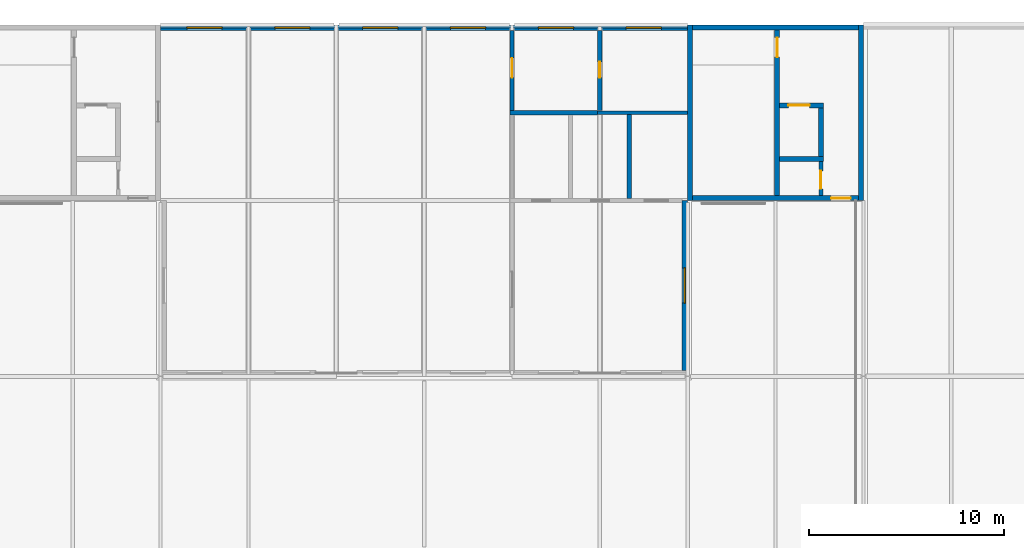
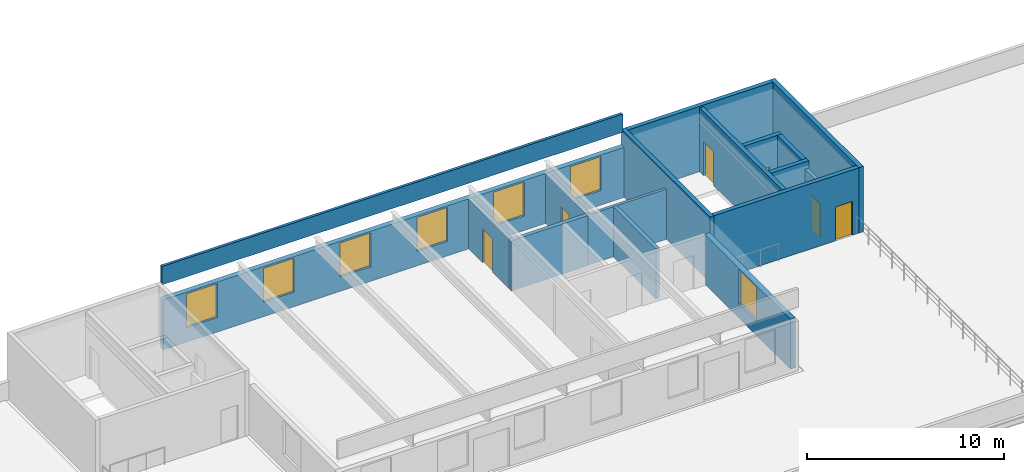
# One storey, part 47 of 50: 17 walls, 7 windows, 6 doors, 13 openings.
"""IFC4 building model written with IfcOpenShell, lengths in metres."""

import ifcopenshell
import ifcopenshell.guid

model = None  # the IFC model being written
_history = None  # IfcOwnerHistory: only IFC2X3 demands one
_inside = {}  # id of a spatial element -> (the spatial element, [elements in it])
_under = {}  # id of a project, library or spatial element -> (it, [spatial elements below it])
_declared = {}  # id of a project -> (the project, [libraries it declares])
_typed = {}  # id of a type object -> (the type object, [elements of that type])
_made_of = {}  # id of a material, layer set ... -> (it, [elements and type objects made of it])


def new_model(schema):
    """Start an empty IFC model of exactly this schema.

    Asked for "IFC4X3", IfcOpenShell would pick the latest addendum, in which some entities
    have other attributes; the version numbers below select the first issue.
    IFC2X3 requires an IfcOwnerHistory on every rooted entity: one is made here for all.
    """
    global model, _history
    if schema == "IFC4X3":
        model = ifcopenshell.file(schema_version=(4, 3, 0, 0))
    else:
        model = ifcopenshell.file(schema=schema)
    _inside.clear()
    _under.clear()
    _declared.clear()
    _typed.clear()
    _made_of.clear()
    _history = None
    if model.schema == "IFC2X3":
        org = make("IfcOrganization", Name="unknown")
        user = make(
            "IfcPersonAndOrganization",
            ThePerson=make("IfcPerson", FamilyName="unknown"),
            TheOrganization=org,
        )
        app = make(
            "IfcApplication",
            ApplicationDeveloper=org,
            Version="unknown",
            ApplicationFullName="unknown",
            ApplicationIdentifier="unknown",
        )
        _history = make(
            "IfcOwnerHistory",
            OwningUser=user,
            OwningApplication=app,
            ChangeAction="ADDED",
            CreationDate=0,
        )
    return model


def make(cls, **values):
    """One entity of the class cls with the attributes given. An attribute that is None is left unset."""
    return model.create_entity(
        cls, **{name: value for name, value in values.items() if value is not None}
    )


def rooted(cls, **values):
    """An entity with a GlobalId (a new one), such as an element, a storey or a relation."""
    return make(cls, GlobalId=ifcopenshell.guid.new(), OwnerHistory=_history, **values)


def si_unit(unit_type, name, prefix=None):
    """IfcSIUnit, for example si_unit("LENGTHUNIT", "METRE", prefix="MILLI")."""
    return make("IfcSIUnit", UnitType=unit_type, Prefix=prefix, Name=name)


def assignment(units):
    """IfcUnitAssignment: the units of a project."""
    return None if units is None else make("IfcUnitAssignment", Units=units)


def point(xyz):
    """IfcCartesianPoint."""
    return None if xyz is None else make("IfcCartesianPoint", Coordinates=xyz)


def direction(xyz):
    """IfcDirection."""
    return None if xyz is None else make("IfcDirection", DirectionRatios=xyz)


def frame(location, z_axis=None, x_axis=None):
    """IfcAxis2Placement3D, a coordinate frame: its origin and axes. An axis left out is left unset."""
    return make(
        "IfcAxis2Placement3D",
        Location=point(location),
        Axis=direction(z_axis),
        RefDirection=direction(x_axis),
    )


def frame_2d(location, x_axis=None):
    """IfcAxis2Placement2D, a coordinate frame in the plane: its origin and x axis."""
    return make(
        "IfcAxis2Placement2D", Location=point(location), RefDirection=direction(x_axis)
    )


def origin():
    """The frame at (0, 0, 0) with its axes left unset."""
    return frame((0.0, 0.0, 0.0))


def place(relative_to, where):
    """IfcLocalPlacement: puts the frame where relative to a parent placement (None: the world)."""
    return make(
        "IfcLocalPlacement", PlacementRelTo=relative_to, RelativePlacement=where
    )


def context(
    kind, dimensions, precision=None, world=None, true_north=None, identifier=None
):
    """IfcGeometricRepresentationContext, for example the 3D "Model" context."""
    return make(
        "IfcGeometricRepresentationContext",
        ContextIdentifier=identifier,
        ContextType=kind,
        CoordinateSpaceDimension=dimensions,
        Precision=precision,
        WorldCoordinateSystem=world,
        TrueNorth=true_north,
    )


def subcontext(parent, identifier, kind, view, scale=None):
    """IfcGeometricRepresentationSubContext, for example "Body" below "Model"."""
    return make(
        "IfcGeometricRepresentationSubContext",
        ContextIdentifier=identifier,
        ContextType=kind,
        ParentContext=parent,
        TargetScale=scale,
        TargetView=view,
    )


def project(units=None, contexts=None):
    """IfcProject with its units and contexts."""
    return rooted(
        "IfcProject",
        Name="project",
        RepresentationContexts=contexts,
        UnitsInContext=assignment(units),
    )


def spatial(cls, under=None, at=None, **own):
    """A site, building, storey or space (cls), placed at a placement, below another one or the project."""
    s = rooted(cls, ObjectPlacement=at, **own)
    if under is not None:
        _under.setdefault(under.id(), (under, []))[1].append(s)
    return s


def profile(cls, at=None, kind="AREA", **sizes):
    """A parametric profile (cls). Its sizes go by their IFC names, for example OverallWidth=200.0."""
    return make(cls, ProfileType=kind, Position=at, **sizes)


def rectangle(**sizes):
    """IfcRectangleProfileDef."""
    return profile("IfcRectangleProfileDef", **sizes)


def extrude(swept, where, along, depth):
    """IfcExtrudedAreaSolid: the profile swept, set in the frame where, extruded along a direction by depth."""
    return make(
        "IfcExtrudedAreaSolid",
        SweptArea=swept,
        Position=where,
        ExtrudedDirection=direction(along),
        Depth=depth,
    )


def shape(context_of_items, identifier, shape_type, items):
    """IfcShapeRepresentation: the items that make up one representation, for example the "Body"."""
    return make(
        "IfcShapeRepresentation",
        ContextOfItems=context_of_items,
        RepresentationIdentifier=identifier,
        RepresentationType=shape_type,
        Items=items,
    )


def material(Name=None, Category=None):
    """IfcMaterial."""
    return make("IfcMaterial", Name=Name, Category=Category)


def layer(
    of_material, thickness, ventilated=None, Name=None, Category=None, Priority=None
):
    """IfcMaterialLayer: one layer of a wall or slab, of a material (None: an air gap)."""
    return make(
        "IfcMaterialLayer",
        Material=of_material,
        LayerThickness=thickness,
        IsVentilated=ventilated,
        Name=Name,
        Category=Category,
        Priority=Priority,
    )


def layer_set(layers, Name=None):
    """IfcMaterialLayerSet."""
    return make("IfcMaterialLayerSet", MaterialLayers=layers, LayerSetName=Name)


def made_of(thing, what):
    """Note that an element or type object is made of a material, layer set ...; save() writes the relation."""
    if what is not None:
        _made_of.setdefault(what.id(), (what, []))[1].append(thing)
    return thing


def type_object(cls, material=None, **own):
    """A type object (cls), such as IfcWallType, which elements share."""
    return made_of(rooted(cls, **own), material)


def element(
    cls,
    number,
    at=None,
    inside=None,
    cuts=None,
    type_object=None,
    material=None,
    context=None,
    identifier="Body",
    shape_type=None,
    held_by="IfcProductDefinitionShape",
    body=None,
    shapes=None,
    **own,
):
    """One element of the class cls, such as IfcWall. Its Tag is "e" and its number.

    at: its placement. inside: the storey or other place that contains it. cuts: it is an
    opening in that element (IfcRelVoidsElement). A single representation is given by context,
    identifier, shape_type and body (its items); several are given by shapes. held_by: the class
    of the entity that holds the representations. save() writes the other relations.
    """
    e = rooted(cls, Tag="e%d" % number, ObjectPlacement=at, **own)
    if body is not None:
        shapes = [shape(context, identifier, shape_type, body)]
    if shapes is not None:
        e.Representation = make(held_by, Representations=shapes)
    if inside is not None:
        _inside.setdefault(inside.id(), (inside, []))[1].append(e)
    if cuts is not None:
        rooted(
            "IfcRelVoidsElement", RelatingBuildingElement=cuts, RelatedOpeningElement=e
        )
    if type_object is not None:
        _typed.setdefault(type_object.id(), (type_object, []))[1].append(e)
    return made_of(e, material)


def fill(opening, filler):
    """IfcRelFillsElement: the door or window that sits in an opening."""
    return rooted(
        "IfcRelFillsElement",
        RelatingOpeningElement=opening,
        RelatedBuildingElement=filler,
    )


def aggregate(whole, parts):
    """IfcRelAggregates: a whole, such as a stair, and the parts it consists of."""
    return rooted("IfcRelAggregates", RelatingObject=whole, RelatedObjects=parts)


def save(model, path):
    """Write the relations noted so far, then the file.

    IfcRelAggregates (storeys below a building ...), IfcRelContainedInSpatialStructure (elements
    in a storey), IfcRelDefinesByType, IfcRelAssociatesMaterial and IfcRelDeclares: one each for
    every whole, place, type object, material and project.
    """
    for whole, parts in _under.values():
        aggregate(whole, parts)
    for where, things in _inside.values():
        rooted(
            "IfcRelContainedInSpatialStructure",
            RelatedElements=things,
            RelatingStructure=where,
        )
    for kind, things in _typed.values():
        rooted("IfcRelDefinesByType", RelatedObjects=things, RelatingType=kind)
    for what, things in _made_of.values():
        rooted("IfcRelAssociatesMaterial", RelatedObjects=things, RelatingMaterial=what)
    for by, libraries in _declared.values():
        rooted("IfcRelDeclares", RelatingContext=by, RelatedDefinitions=libraries)
    model.write(path)


model = new_model("IFC4")

# Units and contexts
model_context = context("Model", 3, precision=1e-05, world=origin(), true_north=direction((0.0, 1.0)))
body_context = subcontext(model_context, "Body", "Model", "MODEL_VIEW")
ifc_project = project(units=[si_unit("LENGTHUNIT", "METRE"), si_unit("AREAUNIT", "SQUARE_METRE"), si_unit("VOLUMEUNIT", "CUBIC_METRE"), si_unit("PLANEANGLEUNIT", "RADIAN"), si_unit("MASSUNIT", "GRAM", prefix="KILO")], contexts=[model_context])

# Site, building, storey
site_placement = place(None, origin())
site = spatial("IfcSite", under=ifc_project, at=site_placement, CompositionType="ELEMENT")
building_placement = place(site_placement, origin())
building = spatial("IfcBuilding", under=site, at=building_placement, Name="Corbel Yard City Hall", CompositionType="ELEMENT")
storey_placement = place(building_placement, frame((0.0, 0.0, 15.0)))
storey = spatial("IfcBuildingStorey", under=building, at=storey_placement, Name="L03", CompositionType="ELEMENT", Elevation=15.0)

# Walls
ifc_material_1 = material(Name="Concrete N50 (50 MPa)", Category="concrete")
ifc_layer_1 = layer(ifc_material_1, 0.25)
ifc_layer_set_1 = layer_set([ifc_layer_1], Name="Concrete N50 (50 MPa)")
wall_type_1 = type_object("IfcWallType", Name="Core cell wall 250", PredefinedType="SHEAR", material=ifc_layer_set_1)
for number, where, z_axis, x_axis, name in (
    (1, (99.125, 108.0, 0.0), (0.0, 0.0, 1.0), (0.0, 1.0, 0.0), "Core PC-N2 west wall"),
    (2, (107.875, 108.0, 0.0), (0.0, 0.0, 1.0), (0.0, 1.0, 0.0), "Core PC-N2 east wall"),
):
    element("IfcWall", number, at=place(storey_placement, frame(where, z_axis=z_axis, x_axis=x_axis)), inside=storey, type_object=wall_type_1, Name=name, PredefinedType="SHEAR", context=body_context, shape_type="SweptSolid", body=[
        extrude(rectangle(XDim=9.0, YDim=0.25, at=frame_2d((4.5, 0.0))), origin(), (0.0, 0.0, 1.0), 4.050048828125),
    ])

# Wall, opening, door
wall_1_placement = place(storey_placement, frame((99.25, 108.125, 0.0), z_axis=(0.0, 0.0, 1.0), x_axis=(1.0, 0.0, 0.0)))
wall_1 = element("IfcWall", 3, at=wall_1_placement, inside=storey, type_object=wall_type_1, Name="Core PC-N2 south wall", PredefinedType="SHEAR", context=body_context, shape_type="SweptSolid", body=[
    extrude(rectangle(XDim=8.5, YDim=0.25, at=frame_2d((4.25, 0.0))), origin(), (0.0, 0.0, 1.0), 4.050048828125),
])
opening_1_placement = place(wall_1_placement, frame((7.10009765625, 0.0, 0.0)))
opening_1 = element("IfcOpeningElement", 4, at=opening_1_placement, cuts=wall_1, Name="Opening L03-004", PredefinedType="OPENING", context=body_context, shape_type="SweptSolid", body=[
    extrude(rectangle(XDim=1.0, YDim=2.10009765625, at=frame_2d((0.5, 1.050048828125))), frame((0.0, 0.135009765625, 0.0), z_axis=(0.0, -1.0, 0.0), x_axis=(1.0, 0.0, 0.0)), (0.0, 0.0, 1.0), 0.27001953125),
])
ifc_material_2 = material(Name="Steel Grade G250, insulated infill", Category="steel")
door_type_1 = type_object("IfcDoorType", Name="XD3", OperationType="SINGLE_SWING_LEFT", PredefinedType="DOOR", material=ifc_material_2)
door_1_placement = place(opening_1_placement, frame((1.0, 0.0, 0.0), z_axis=(0.0, 0.0, 1.0), x_axis=(-1.0, 0.0, 0.0)))
door_1 = element("IfcDoor", 5, at=door_1_placement, inside=storey, type_object=door_type_1, Name="Terrace door PC-N2", OperationType="SINGLE_SWING_LEFT", OverallHeight=2.10009765625, OverallWidth=1.0, PredefinedType="DOOR", context=body_context, shape_type="SweptSolid", body=[
    extrude(rectangle(XDim=1.0, YDim=2.10009765625, at=frame_2d((0.5, 1.050048828125))), frame((0.0, 0.02490234375, 0.0), z_axis=(0.0, -1.0, 0.0), x_axis=(1.0, 0.0, 0.0)), (0.0, 0.0, 1.0), 0.050048828125),
])
fill(opening_1, door_1)

# Wall
wall_2_placement = place(storey_placement, frame((99.25, 116.875, 0.0), z_axis=(0.0, 0.0, 1.0), x_axis=(1.0, 0.0, 0.0)))
element("IfcWall", 6, at=wall_2_placement, inside=storey, type_object=wall_type_1, Name="Core PC-N2 north wall", PredefinedType="SHEAR", context=body_context, shape_type="SweptSolid", body=[
    extrude(rectangle(XDim=8.5, YDim=0.25, at=frame_2d((4.25, 0.0))), origin(), (0.0, 0.0, 1.0), 4.050048828125),
])

# Wall, opening, window
ifc_material_3 = material(Name="Sandstone cladding", Category="masonry")
ifc_layer_2 = layer(ifc_material_3, 0.0400390625)
ifc_material_4 = material(Name="Air cavity", Category="air")
ifc_layer_3 = layer(ifc_material_4, 0.0400390625)
ifc_material_5 = material(Name="Concrete block", Category="concrete")
ifc_layer_4 = layer(ifc_material_5, 0.18994140625)
ifc_material_6 = material(Name="Gypsum plasterboard", Category="gypsum")
ifc_layer_5 = layer(ifc_material_6, 0.030029296875)
ifc_layer_set_2 = layer_set([ifc_layer_2, ifc_layer_3, ifc_layer_4, ifc_layer_5], Name="Concrete block")
wall_type_2 = type_object("IfcWallType", Name="EW1", PredefinedType="SOLIDWALL", material=ifc_layer_set_2)
wall_3_placement = place(storey_placement, frame((98.85009765625, 99.300048828125, 0.0), z_axis=(0.0, 0.0, 1.0), x_axis=(0.0, 1.0, 0.0)))
wall_3 = element("IfcWall", 7, at=wall_3_placement, inside=storey, type_object=wall_type_2, Name="Terrace Cafe east wall", PredefinedType="SOLIDWALL", context=body_context, shape_type="SweptSolid", body=[
    extrude(rectangle(XDim=8.699951171875, YDim=0.300048828125, at=frame_2d((4.35009765625, 0.0))), origin(), (0.0, 0.0, 1.0), 3.10009765625),
])
opening_2_placement = place(wall_3_placement, frame((3.449951171875, 0.0, 0.89990234375)))
opening_2 = element("IfcOpeningElement", 8, at=opening_2_placement, cuts=wall_3, Name="Opening WN7", PredefinedType="OPENING", context=body_context, shape_type="SweptSolid", body=[
    extrude(rectangle(XDim=1.800048828125, YDim=2.10009765625, at=frame_2d((0.89990234375, 1.050048828125))), frame((0.0, 0.159912109375, 0.0), z_axis=(0.0, -1.0, 0.0), x_axis=(1.0, 0.0, 0.0)), (0.0, 0.0, 1.0), 0.320068359375),
])
ifc_material_7 = material(Name="Aluminium frame, double glazed low-e glass", Category="aluminium")
window_type = type_object("IfcWindowType", Name="WN7", PartitioningType="SINGLE_PANEL", PredefinedType="WINDOW", material=ifc_material_7)
window_1_placement = place(opening_2_placement, origin())
window_1 = element("IfcWindow", 9, at=window_1_placement, inside=storey, type_object=window_type, Name="Window WN7 L03", OverallHeight=2.10009765625, OverallWidth=1.800048828125, PartitioningType="SINGLE_PANEL", PredefinedType="WINDOW", context=body_context, shape_type="SweptSolid", body=[
    extrude(rectangle(XDim=1.800048828125, YDim=2.10009765625, at=frame_2d((0.89990234375, 1.050048828125))), frame((0.0, 0.030029296875, 0.0), z_axis=(0.0, -1.0, 0.0), x_axis=(1.0, 0.0, 0.0)), (0.0, 0.0, 1.0), 0.06005859375),
])
fill(opening_2, window_1)

# Wall, openings, windows
ifc_layer_6 = layer(ifc_material_3, 0.0400390625)
ifc_layer_7 = layer(ifc_material_4, 0.0400390625)
ifc_material_8 = material(Name="Concrete N40 (40 MPa)", Category="concrete")
ifc_layer_8 = layer(ifc_material_8, 0.18994140625)
ifc_layer_9 = layer(ifc_material_6, 0.030029296875)
ifc_layer_set_3 = layer_set([ifc_layer_6, ifc_layer_7, ifc_layer_8, ifc_layer_9], Name="Concrete N40 (40 MPa)")
wall_type_3 = type_object("IfcWallType", Name="EW8", PredefinedType="SOLIDWALL", material=ifc_layer_set_3)
wall_4_placement = place(storey_placement, frame((72.0, 116.85009765625, 0.0), z_axis=(0.0, 0.0, 1.0), x_axis=(1.0, 0.0, 0.0)))
wall_4 = element("IfcWall", 10, at=wall_4_placement, inside=storey, type_object=wall_type_3, Name="Terrace Cafe north wall", PredefinedType="SOLIDWALL", context=body_context, shape_type="SweptSolid", body=[
    extrude(rectangle(XDim=27.0, YDim=0.300048828125, at=frame_2d((13.5, 0.0))), origin(), (0.0, 0.0, 1.0), 3.10009765625),
])
opening_3_placement = place(wall_4_placement, frame((1.35009765625, 0.0, 0.89990234375)))
opening_3 = element("IfcOpeningElement", 11, at=opening_3_placement, cuts=wall_4, Name="Opening WN7", PredefinedType="OPENING", context=body_context, shape_type="SweptSolid", body=[
    extrude(rectangle(XDim=1.800048828125, YDim=2.10009765625, at=frame_2d((0.89990234375, 1.050048828125))), frame((0.0, 0.159912109375, 0.0), z_axis=(0.0, -1.0, 0.0), x_axis=(1.0, 0.0, 0.0)), (0.0, 0.0, 1.0), 0.320068359375),
])
opening_4_placement = place(wall_4_placement, frame((5.85009765625, 0.0, 0.89990234375)))
opening_4 = element("IfcOpeningElement", 12, at=opening_4_placement, cuts=wall_4, Name="Opening WN7", PredefinedType="OPENING", context=body_context, shape_type="SweptSolid", body=[
    extrude(rectangle(XDim=1.800048828125, YDim=2.10009765625, at=frame_2d((0.89990234375, 1.050048828125))), frame((0.0, 0.159912109375, 0.0), z_axis=(0.0, -1.0, 0.0), x_axis=(1.0, 0.0, 0.0)), (0.0, 0.0, 1.0), 0.320068359375),
])
opening_5_placement = place(wall_4_placement, frame((10.35009765625, 0.0, 0.89990234375)))
opening_5 = element("IfcOpeningElement", 13, at=opening_5_placement, cuts=wall_4, Name="Opening WN7", PredefinedType="OPENING", context=body_context, shape_type="SweptSolid", body=[
    extrude(rectangle(XDim=1.800048828125, YDim=2.10009765625, at=frame_2d((0.89990234375, 1.050048828125))), frame((0.0, 0.159912109375, 0.0), z_axis=(0.0, -1.0, 0.0), x_axis=(1.0, 0.0, 0.0)), (0.0, 0.0, 1.0), 0.320068359375),
])
opening_6_placement = place(wall_4_placement, frame((14.85009765625, 0.0, 0.89990234375)))
opening_6 = element("IfcOpeningElement", 14, at=opening_6_placement, cuts=wall_4, Name="Opening WN7", PredefinedType="OPENING", context=body_context, shape_type="SweptSolid", body=[
    extrude(rectangle(XDim=1.800048828125, YDim=2.10009765625, at=frame_2d((0.89990234375, 1.050048828125))), frame((0.0, 0.159912109375, 0.0), z_axis=(0.0, -1.0, 0.0), x_axis=(1.0, 0.0, 0.0)), (0.0, 0.0, 1.0), 0.320068359375),
])
opening_7_placement = place(wall_4_placement, frame((19.35009765625, 0.0, 0.89990234375)))
opening_7 = element("IfcOpeningElement", 15, at=opening_7_placement, cuts=wall_4, Name="Opening WN7", PredefinedType="OPENING", context=body_context, shape_type="SweptSolid", body=[
    extrude(rectangle(XDim=1.800048828125, YDim=2.10009765625, at=frame_2d((0.89990234375, 1.050048828125))), frame((0.0, 0.159912109375, 0.0), z_axis=(0.0, -1.0, 0.0), x_axis=(1.0, 0.0, 0.0)), (0.0, 0.0, 1.0), 0.320068359375),
])
opening_8_placement = place(wall_4_placement, frame((23.85009765625, 0.0, 0.89990234375)))
opening_8 = element("IfcOpeningElement", 16, at=opening_8_placement, cuts=wall_4, Name="Opening WN7", PredefinedType="OPENING", context=body_context, shape_type="SweptSolid", body=[
    extrude(rectangle(XDim=1.800048828125, YDim=2.10009765625, at=frame_2d((0.89990234375, 1.050048828125))), frame((0.0, 0.159912109375, 0.0), z_axis=(0.0, -1.0, 0.0), x_axis=(1.0, 0.0, 0.0)), (0.0, 0.0, 1.0), 0.320068359375),
])
window_2_placement = place(opening_3_placement, origin())
window_2 = element("IfcWindow", 17, at=window_2_placement, inside=storey, type_object=window_type, Name="Window WN7 L03", OverallHeight=2.10009765625, OverallWidth=1.800048828125, PartitioningType="SINGLE_PANEL", PredefinedType="WINDOW", context=body_context, shape_type="SweptSolid", body=[
    extrude(rectangle(XDim=1.800048828125, YDim=2.10009765625, at=frame_2d((0.89990234375, 1.050048828125))), frame((0.0, 0.030029296875, 0.0), z_axis=(0.0, -1.0, 0.0), x_axis=(1.0, 0.0, 0.0)), (0.0, 0.0, 1.0), 0.06005859375),
])
fill(opening_3, window_2)
window_3_placement = place(opening_4_placement, origin())
window_3 = element("IfcWindow", 18, at=window_3_placement, inside=storey, type_object=window_type, Name="Window WN7 L03", OverallHeight=2.10009765625, OverallWidth=1.800048828125, PartitioningType="SINGLE_PANEL", PredefinedType="WINDOW", context=body_context, shape_type="SweptSolid", body=[
    extrude(rectangle(XDim=1.800048828125, YDim=2.10009765625, at=frame_2d((0.89990234375, 1.050048828125))), frame((0.0, 0.030029296875, 0.0), z_axis=(0.0, -1.0, 0.0), x_axis=(1.0, 0.0, 0.0)), (0.0, 0.0, 1.0), 0.06005859375),
])
fill(opening_4, window_3)
window_4_placement = place(opening_5_placement, origin())
window_4 = element("IfcWindow", 19, at=window_4_placement, inside=storey, type_object=window_type, Name="Window WN7 L03", OverallHeight=2.10009765625, OverallWidth=1.800048828125, PartitioningType="SINGLE_PANEL", PredefinedType="WINDOW", context=body_context, shape_type="SweptSolid", body=[
    extrude(rectangle(XDim=1.800048828125, YDim=2.10009765625, at=frame_2d((0.89990234375, 1.050048828125))), frame((0.0, 0.030029296875, 0.0), z_axis=(0.0, -1.0, 0.0), x_axis=(1.0, 0.0, 0.0)), (0.0, 0.0, 1.0), 0.06005859375),
])
fill(opening_5, window_4)
window_5_placement = place(opening_6_placement, origin())
window_5 = element("IfcWindow", 20, at=window_5_placement, inside=storey, type_object=window_type, Name="Window WN7 L03", OverallHeight=2.10009765625, OverallWidth=1.800048828125, PartitioningType="SINGLE_PANEL", PredefinedType="WINDOW", context=body_context, shape_type="SweptSolid", body=[
    extrude(rectangle(XDim=1.800048828125, YDim=2.10009765625, at=frame_2d((0.89990234375, 1.050048828125))), frame((0.0, 0.030029296875, 0.0), z_axis=(0.0, -1.0, 0.0), x_axis=(1.0, 0.0, 0.0)), (0.0, 0.0, 1.0), 0.06005859375),
])
fill(opening_6, window_5)
window_6_placement = place(opening_7_placement, origin())
window_6 = element("IfcWindow", 21, at=window_6_placement, inside=storey, type_object=window_type, Name="Window WN7 L03", OverallHeight=2.10009765625, OverallWidth=1.800048828125, PartitioningType="SINGLE_PANEL", PredefinedType="WINDOW", context=body_context, shape_type="SweptSolid", body=[
    extrude(rectangle(XDim=1.800048828125, YDim=2.10009765625, at=frame_2d((0.89990234375, 1.050048828125))), frame((0.0, 0.030029296875, 0.0), z_axis=(0.0, -1.0, 0.0), x_axis=(1.0, 0.0, 0.0)), (0.0, 0.0, 1.0), 0.06005859375),
])
fill(opening_7, window_6)
window_7_placement = place(opening_8_placement, origin())
window_7 = element("IfcWindow", 22, at=window_7_placement, inside=storey, type_object=window_type, Name="Window WN7 L03", OverallHeight=2.10009765625, OverallWidth=1.800048828125, PartitioningType="SINGLE_PANEL", PredefinedType="WINDOW", context=body_context, shape_type="SweptSolid", body=[
    extrude(rectangle(XDim=1.800048828125, YDim=2.10009765625, at=frame_2d((0.89990234375, 1.050048828125))), frame((0.0, 0.030029296875, 0.0), z_axis=(0.0, -1.0, 0.0), x_axis=(1.0, 0.0, 0.0)), (0.0, 0.0, 1.0), 0.06005859375),
])
fill(opening_8, window_7)

# Wall, opening, door
ifc_layer_10 = layer(ifc_material_8, 0.25)
ifc_layer_set_4 = layer_set([ifc_layer_10], Name="Concrete N40 (40 MPa)")
wall_type_4 = type_object("IfcWallType", Name="IW2", PredefinedType="SOLIDWALL", material=ifc_layer_set_4)
wall_5_placement = place(storey_placement, frame((103.574951171875, 116.75, 0.0), z_axis=(0.0, 0.0, 1.0), x_axis=(0.0, -1.0, 0.0)))
wall_5 = element("IfcWall", 23, at=wall_5_placement, inside=storey, type_object=wall_type_4, Name="Stair enclosure wall", PredefinedType="SOLIDWALL", context=body_context, shape_type="SweptSolid", body=[
    extrude(rectangle(XDim=8.5, YDim=0.25, at=frame_2d((4.25, 0.0))), origin(), (0.0, 0.0, 1.0), 3.949951171875),
])
opening_9_placement = place(wall_5_placement, frame((0.39990234375, 0.0, 0.0)))
opening_9 = element("IfcOpeningElement", 24, at=opening_9_placement, cuts=wall_5, Name="Opening L03-009", PredefinedType="OPENING", context=body_context, shape_type="SweptSolid", body=[
    extrude(rectangle(XDim=1.0, YDim=2.10009765625, at=frame_2d((0.5, 1.050048828125))), frame((0.0, 0.135009765625, 0.0), z_axis=(0.0, -1.0, 0.0), x_axis=(1.0, 0.0, 0.0)), (0.0, 0.0, 1.0), 0.27001953125),
])
ifc_material_9 = material(Name="Steel Grade G250", Category="steel")
door_type_2 = type_object("IfcDoorType", Name="FS1", OperationType="SINGLE_SWING_LEFT", PredefinedType="DOOR", material=ifc_material_9)
door_2_placement = place(opening_9_placement, frame((1.0, 0.0, 0.0), z_axis=(0.0, 0.0, 1.0), x_axis=(-1.0, 0.0, 0.0)))
door_2 = element("IfcDoor", 25, at=door_2_placement, inside=storey, type_object=door_type_2, Name="Door Exit Stair 17", OperationType="SINGLE_SWING_RIGHT", OverallHeight=2.10009765625, OverallWidth=1.0, PredefinedType="DOOR", context=body_context, shape_type="SweptSolid", body=[
    extrude(rectangle(XDim=1.0, YDim=2.10009765625, at=frame_2d((0.5, 1.050048828125))), frame((0.0, 0.02490234375, 0.0), z_axis=(0.0, -1.0, 0.0), x_axis=(1.0, 0.0, 0.0)), (0.0, 0.0, 1.0), 0.050048828125),
])
fill(opening_9, door_2)

# Wall
wall_6_placement = place(storey_placement, frame((103.699951171875, 110.125, 0.0), z_axis=(0.0, 0.0, 1.0), x_axis=(1.0, 0.0, 0.0)))
element("IfcWall", 26, at=wall_6_placement, inside=storey, type_object=wall_type_4, Name="Lift LP17 shaft wall", PredefinedType="SOLIDWALL", context=body_context, shape_type="SweptSolid", body=[
    extrude(rectangle(XDim=2.25, YDim=0.25, at=frame_2d((1.125, 0.0))), origin(), (0.0, 0.0, 1.0), 3.89990234375),
])

# Wall, opening, door
wall_7_placement = place(storey_placement, frame((103.699951171875, 112.875, 0.0), z_axis=(0.0, 0.0, 1.0), x_axis=(1.0, 0.0, 0.0)))
wall_7 = element("IfcWall", 27, at=wall_7_placement, inside=storey, type_object=wall_type_4, Name="Lift LP17 shaft wall", PredefinedType="SOLIDWALL", context=body_context, shape_type="SweptSolid", body=[
    extrude(rectangle(XDim=2.25, YDim=0.25, at=frame_2d((1.125, 0.0))), origin(), (0.0, 0.0, 1.0), 3.89990234375),
])
opening_10_placement = place(wall_7_placement, frame((0.449951171875, 0.0, 0.0)))
opening_10 = element("IfcOpeningElement", 28, at=opening_10_placement, cuts=wall_7, Name="Opening L03-006", PredefinedType="OPENING", context=body_context, shape_type="SweptSolid", body=[
    extrude(rectangle(XDim=1.10009765625, YDim=2.10009765625, at=frame_2d((0.550048828125, 1.050048828125))), frame((0.0, 0.135009765625, 0.0), z_axis=(0.0, -1.0, 0.0), x_axis=(1.0, 0.0, 0.0)), (0.0, 0.0, 1.0), 0.27001953125),
])
ifc_material_10 = material(Name="Stainless steel Grade 316", Category="steel")
door_type_3 = type_object("IfcDoorType", Name="LD1", OperationType="DOUBLE_DOOR_SLIDING", PredefinedType="DOOR", material=ifc_material_10)
door_3_placement = place(opening_10_placement, origin())
door_3 = element("IfcDoor", 29, at=door_3_placement, inside=storey, type_object=door_type_3, Name="Lift LP17 landing door", OperationType="DOUBLE_DOOR_SLIDING", OverallHeight=2.10009765625, OverallWidth=1.10009765625, PredefinedType="DOOR", context=body_context, shape_type="SweptSolid", body=[
    extrude(rectangle(XDim=1.10009765625, YDim=2.10009765625, at=frame_2d((0.550048828125, 1.050048828125))), frame((0.0, 0.02490234375, 0.0), z_axis=(0.0, -1.0, 0.0), x_axis=(1.0, 0.0, 0.0)), (0.0, 0.0, 1.0), 0.050048828125),
])
fill(opening_10, door_3)

# Walls
wall_8_placement = place(storey_placement, frame((105.824951171875, 110.25, 0.0), z_axis=(0.0, 0.0, 1.0), x_axis=(0.0, 1.0, 0.0)))
element("IfcWall", 30, at=wall_8_placement, inside=storey, type_object=wall_type_4, Name="Lift LP17 shaft wall", PredefinedType="SOLIDWALL", context=body_context, shape_type="SweptSolid", body=[
    extrude(rectangle(XDim=2.5, YDim=0.25, at=frame_2d((1.25, 0.0))), origin(), (0.0, 0.0, 1.0), 3.89990234375),
])
ifc_material_11 = material(Name="Concrete N32 (32 MPa)", Category="concrete")
ifc_layer_11 = layer(ifc_material_11, 0.159912109375)
ifc_layer_set_5 = layer_set([ifc_layer_11], Name="Concrete N32 (32 MPa)")
wall_type_5 = type_object("IfcWallType", Name="PR2", PredefinedType="PARAPET", material=ifc_layer_set_5)
wall_9_placement = place(storey_placement, frame((72.0, 116.919921875, 3.94189453125), z_axis=(0.0, 0.0, 1.0), x_axis=(1.0, 0.0, 0.0)))
element("IfcWall", 31, at=wall_9_placement, inside=storey, type_object=wall_type_5, Name="Pavilion roof parapet", PredefinedType="PARAPET", context=body_context, shape_type="SweptSolid", body=[
    extrude(rectangle(XDim=27.0, YDim=0.159912109375, at=frame_2d((13.5, 0.0))), origin(), (0.0, 0.0, 1.0), 1.14013671875),
])
ifc_material_12 = material(Name="Ceramic tile", Category="ceramic")
ifc_layer_12 = layer(ifc_material_12, 0.0048828125)
ifc_layer_13 = layer(ifc_material_5, 0.215087890625)
ifc_layer_14 = layer(ifc_material_12, 0.0048828125)
ifc_layer_set_6 = layer_set([ifc_layer_12, ifc_layer_13, ifc_layer_14], Name="Concrete block")
wall_type_6 = type_object("IfcWallType", Name="PT21", PredefinedType="PARTITIONING", material=ifc_layer_set_6)
wall_10_placement = place(storey_placement, frame((89.887451171875, 112.5, 0.0), z_axis=(0.0, 0.0, 1.0), x_axis=(1.0, 0.0, 0.0)))
element("IfcWall", 32, at=wall_10_placement, inside=storey, type_object=wall_type_6, Name="Hygienic block wall", PredefinedType="PARTITIONING", context=body_context, shape_type="SweptSolid", body=[
    extrude(rectangle(XDim=4.5, YDim=0.22509765625, at=frame_2d((2.25, 0.0))), origin(), (0.0, 0.0, 1.0), 3.10009765625),
])

# Wall, opening, door
wall_11_placement = place(storey_placement, frame((90.0, 112.612548828125, 0.0), z_axis=(0.0, 0.0, 1.0), x_axis=(0.0, 1.0, 0.0)))
wall_11 = element("IfcWall", 33, at=wall_11_placement, inside=storey, type_object=wall_type_6, Name="Hygienic block wall", PredefinedType="PARTITIONING", context=body_context, shape_type="SweptSolid", body=[
    extrude(rectangle(XDim=4.08740234375, YDim=0.22509765625, at=frame_2d((2.043701171875, 0.0))), origin(), (0.0, 0.0, 1.0), 3.10009765625),
])
opening_11_placement = place(wall_11_placement, frame((1.6875, 0.0, 0.0)))
opening_11 = element("IfcOpeningElement", 34, at=opening_11_placement, cuts=wall_11, Name="Opening L03-016", PredefinedType="OPENING", context=body_context, shape_type="SweptSolid", body=[
    extrude(rectangle(XDim=1.0, YDim=2.10009765625, at=frame_2d((0.5, 1.050048828125))), frame((0.0, 0.12255859375, 0.0), z_axis=(0.0, -1.0, 0.0), x_axis=(1.0, 0.0, 0.0)), (0.0, 0.0, 1.0), 0.2451171875),
])
ifc_material_13 = material(Name="Timber", Category="wood")
door_type_4 = type_object("IfcDoorType", Name="D1", OperationType="SINGLE_SWING_LEFT", PredefinedType="DOOR", material=ifc_material_13)
door_4_placement = place(opening_11_placement, frame((1.0, 0.0, 0.0), z_axis=(0.0, 0.0, 1.0), x_axis=(-1.0, 0.0, 0.0)))
door_4 = element("IfcDoor", 35, at=door_4_placement, inside=storey, type_object=door_type_4, Name="Door Terrace Cafe Kitchenette", OperationType="SINGLE_SWING_LEFT", OverallHeight=2.10009765625, OverallWidth=1.0, PredefinedType="DOOR", context=body_context, shape_type="SweptSolid", body=[
    extrude(rectangle(XDim=1.0, YDim=2.10009765625, at=frame_2d((0.5, 1.050048828125))), frame((0.0, 0.02490234375, 0.0), z_axis=(0.0, -1.0, 0.0), x_axis=(1.0, 0.0, 0.0)), (0.0, 0.0, 1.0), 0.050048828125),
])
fill(opening_11, door_4)

wall_12_placement = place(storey_placement, frame((94.5, 112.612548828125, 0.0), z_axis=(0.0, 0.0, 1.0), x_axis=(0.0, 1.0, 0.0)))
wall_12 = element("IfcWall", 36, at=wall_12_placement, inside=storey, type_object=wall_type_6, Name="Hygienic block wall", PredefinedType="PARTITIONING", context=body_context, shape_type="SweptSolid", body=[
    extrude(rectangle(XDim=4.08740234375, YDim=0.22509765625, at=frame_2d((2.043701171875, 0.0))), origin(), (0.0, 0.0, 1.0), 3.10009765625),
])
opening_12_placement = place(wall_12_placement, frame((1.6875, 0.0, 0.0)))
opening_12 = element("IfcOpeningElement", 37, at=opening_12_placement, cuts=wall_12, Name="Opening L03-017", PredefinedType="OPENING", context=body_context, shape_type="SweptSolid", body=[
    extrude(rectangle(XDim=0.800048828125, YDim=2.0, at=frame_2d((0.39990234375, 1.0))), frame((0.0, 0.12255859375, 0.0), z_axis=(0.0, -1.0, 0.0), x_axis=(1.0, 0.0, 0.0)), (0.0, 0.0, 1.0), 0.2451171875),
])
door_type_5 = type_object("IfcDoorType", Name="D31", OperationType="SINGLE_SWING_LEFT", PredefinedType="DOOR", material=ifc_material_13)
door_5_placement = place(opening_12_placement, origin())
door_5 = element("IfcDoor", 38, at=door_5_placement, inside=storey, type_object=door_type_5, Name="Door Terrace Cafe Store", OperationType="SINGLE_SWING_RIGHT", OverallHeight=2.0, OverallWidth=0.800048828125, PredefinedType="DOOR", context=body_context, shape_type="SweptSolid", body=[
    extrude(rectangle(XDim=0.800048828125, YDim=2.0, at=frame_2d((0.39990234375, 1.0))), frame((0.0, 0.02490234375, 0.0), z_axis=(0.0, -1.0, 0.0), x_axis=(1.0, 0.0, 0.0)), (0.0, 0.0, 1.0), 0.050048828125),
])
fill(opening_12, door_5)

# Wall
ifc_layer_15 = layer(ifc_material_6, 0.031982421875)
ifc_material_14 = material(Name="Steel Grade G550 (550 MPa yield)", Category="steel")
ifc_layer_16 = layer(ifc_material_14, 0.095947265625)
ifc_layer_17 = layer(ifc_material_6, 0.031982421875)
ifc_layer_set_7 = layer_set([ifc_layer_15, ifc_layer_16, ifc_layer_17], Name="Steel Grade G550 (550 MPa yield)")
wall_type_7 = type_object("IfcWallType", Name="PT3", PredefinedType="PARTITIONING", material=ifc_layer_set_7)
wall_13_placement = place(storey_placement, frame((94.387451171875, 112.5, 0.0), z_axis=(0.0, 0.0, 1.0), x_axis=(1.0, 0.0, 0.0)))
element("IfcWall", 39, at=wall_13_placement, inside=storey, type_object=wall_type_7, Name="Fire-resisting wall", PredefinedType="PARTITIONING", context=body_context, shape_type="SweptSolid", body=[
    extrude(rectangle(XDim=4.612548828125, YDim=0.159912109375, at=frame_2d((2.30615234375, 0.0))), origin(), (0.0, 0.0, 1.0), 3.10009765625),
])

# Wall, opening, door
ifc_material_15 = material(Name="Concrete block", Category="concrete")
ifc_layer_18 = layer(ifc_material_15, 0.18994140625)
ifc_layer_set_8 = layer_set([ifc_layer_18], Name="Concrete block")
wall_type_8 = type_object("IfcWallType", Name="PT4", PredefinedType="PARTITIONING", material=ifc_layer_set_8)
wall_14_placement = place(storey_placement, frame((105.824951171875, 108.25, 0.0), z_axis=(0.0, 0.0, 1.0), x_axis=(0.0, 1.0, 0.0)))
wall_14 = element("IfcWall", 40, at=wall_14_placement, inside=storey, type_object=wall_type_8, Name="Fire-resisting block wall", PredefinedType="PARTITIONING", context=body_context, shape_type="SweptSolid", body=[
    extrude(rectangle(XDim=1.75, YDim=0.18994140625, at=frame_2d((0.875, 0.0))), origin(), (0.0, 0.0, 1.0), 3.449951171875),
])
opening_13_placement = place(wall_14_placement, frame((0.3525390625, 0.0, 0.0)))
opening_13 = element("IfcOpeningElement", 41, at=opening_13_placement, cuts=wall_14, Name="Opening L03-010", PredefinedType="OPENING", context=body_context, shape_type="SweptSolid", body=[
    extrude(rectangle(XDim=0.919921875, YDim=2.10009765625, at=frame_2d((0.4599609375, 1.050048828125))), frame((0.0, 0.10498046875, 0.0), z_axis=(0.0, -1.0, 0.0), x_axis=(1.0, 0.0, 0.0)), (0.0, 0.0, 1.0), 0.2099609375),
])
door_type_6 = type_object("IfcDoorType", Name="FS5", OperationType="SINGLE_SWING_RIGHT", PredefinedType="DOOR", material=ifc_material_9)
door_6_placement = place(opening_13_placement, origin())
door_6 = element("IfcDoor", 42, at=door_6_placement, inside=storey, type_object=door_type_6, Name="Door Service Riser", OperationType="SINGLE_SWING_LEFT", OverallHeight=2.10009765625, OverallWidth=0.919921875, PredefinedType="DOOR", context=body_context, shape_type="SweptSolid", body=[
    extrude(rectangle(XDim=0.919921875, YDim=2.10009765625, at=frame_2d((0.4599609375, 1.050048828125))), frame((0.0, 0.02490234375, 0.0), z_axis=(0.0, -1.0, 0.0), x_axis=(1.0, 0.0, 0.0)), (0.0, 0.0, 1.0), 0.050048828125),
])
fill(opening_13, door_6)

# Wall
ifc_layer_19 = layer(ifc_material_6, 0.031982421875)
ifc_layer_20 = layer(ifc_material_14, 0.156005859375)
ifc_layer_21 = layer(ifc_material_6, 0.031982421875)
ifc_layer_set_9 = layer_set([ifc_layer_19, ifc_layer_20, ifc_layer_21], Name="Steel Grade G550 (550 MPa yield)")
wall_type_9 = type_object("IfcWallType", Name="PT5", PredefinedType="PLUMBINGWALL", material=ifc_layer_set_9)
wall_15_placement = place(storey_placement, frame((96.0, 108.10009765625, 0.0), z_axis=(0.0, 0.0, 1.0), x_axis=(0.0, 1.0, 0.0)))
element("IfcWall", 43, at=wall_15_placement, inside=storey, type_object=wall_type_9, Name="Wet wall", PredefinedType="PLUMBINGWALL", context=body_context, shape_type="SweptSolid", body=[
    extrude(rectangle(XDim=4.31982421875, YDim=0.219970703125, at=frame_2d((2.159912109375, 0.0))), origin(), (0.0, 0.0, 1.0), 3.10009765625),
])

save(model, "model.ifc")
